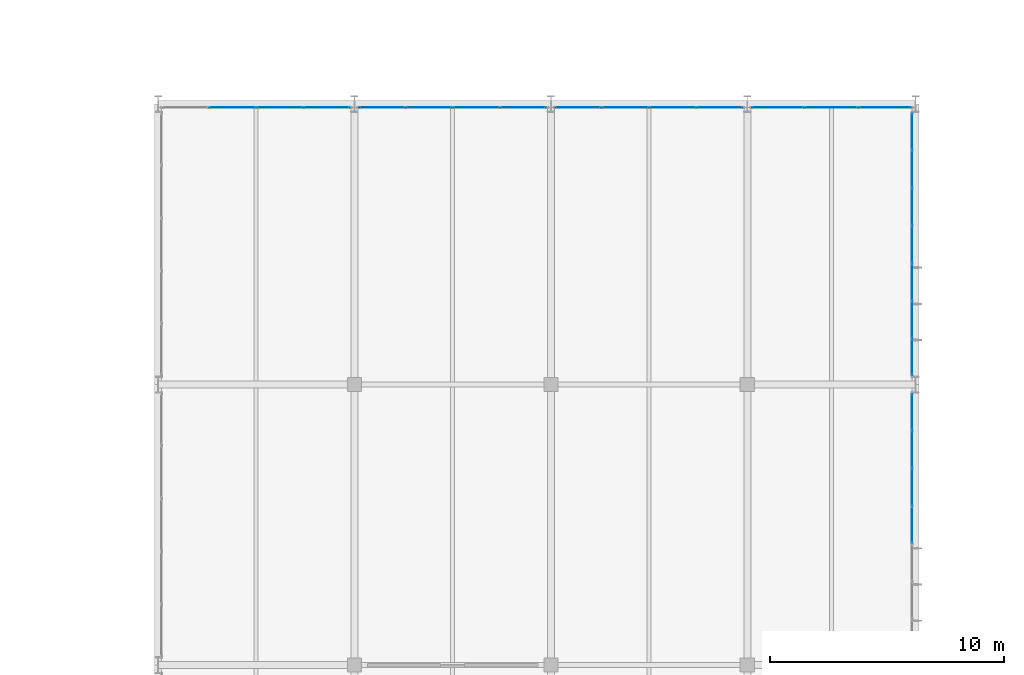
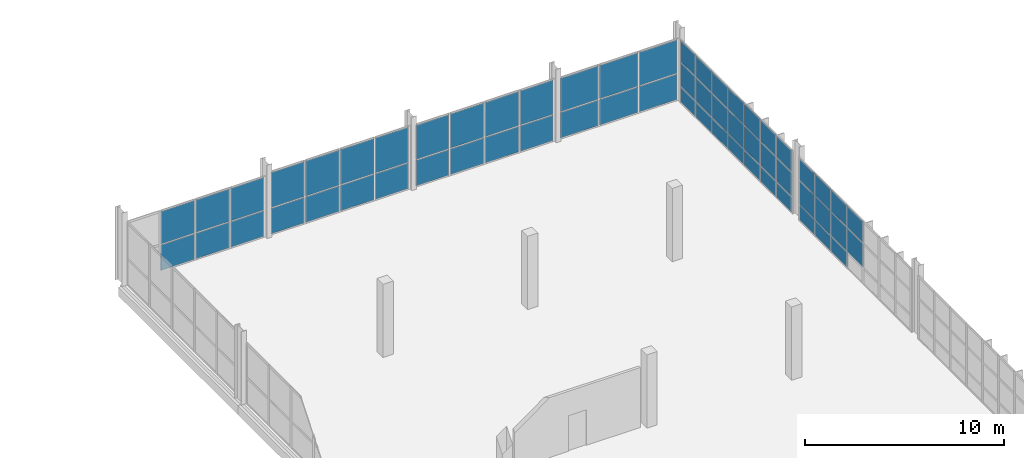
# One storey, part 93 of 113: 60 plates, 6 elements without a shape of their own.
"""IFC4 building model written with IfcOpenShell, lengths in metres."""

import ifcopenshell
import ifcopenshell.guid

model = None  # the IFC model being written
_history = None  # IfcOwnerHistory: only IFC2X3 demands one
_inside = {}  # id of a spatial element -> (the spatial element, [elements in it])
_under = {}  # id of a project, library or spatial element -> (it, [spatial elements below it])
_declared = {}  # id of a project -> (the project, [libraries it declares])
_typed = {}  # id of a type object -> (the type object, [elements of that type])
_made_of = {}  # id of a material, layer set ... -> (it, [elements and type objects made of it])


def new_model(schema):
    """Start an empty IFC model of exactly this schema.

    Asked for "IFC4X3", IfcOpenShell would pick the latest addendum, in which some entities
    have other attributes; the version numbers below select the first issue.
    IFC2X3 requires an IfcOwnerHistory on every rooted entity: one is made here for all.
    """
    global model, _history
    if schema == "IFC4X3":
        model = ifcopenshell.file(schema_version=(4, 3, 0, 0))
    else:
        model = ifcopenshell.file(schema=schema)
    _inside.clear()
    _under.clear()
    _declared.clear()
    _typed.clear()
    _made_of.clear()
    _history = None
    if model.schema == "IFC2X3":
        org = make("IfcOrganization", Name="unknown")
        user = make(
            "IfcPersonAndOrganization",
            ThePerson=make("IfcPerson", FamilyName="unknown"),
            TheOrganization=org,
        )
        app = make(
            "IfcApplication",
            ApplicationDeveloper=org,
            Version="unknown",
            ApplicationFullName="unknown",
            ApplicationIdentifier="unknown",
        )
        _history = make(
            "IfcOwnerHistory",
            OwningUser=user,
            OwningApplication=app,
            ChangeAction="ADDED",
            CreationDate=0,
        )
    return model


def make(cls, **values):
    """One entity of the class cls with the attributes given. An attribute that is None is left unset."""
    return model.create_entity(
        cls, **{name: value for name, value in values.items() if value is not None}
    )


def rooted(cls, **values):
    """An entity with a GlobalId (a new one), such as an element, a storey or a relation."""
    return make(cls, GlobalId=ifcopenshell.guid.new(), OwnerHistory=_history, **values)


def si_unit(unit_type, name, prefix=None):
    """IfcSIUnit, for example si_unit("LENGTHUNIT", "METRE", prefix="MILLI")."""
    return make("IfcSIUnit", UnitType=unit_type, Prefix=prefix, Name=name)


def assignment(units):
    """IfcUnitAssignment: the units of a project."""
    return None if units is None else make("IfcUnitAssignment", Units=units)


def point(xyz):
    """IfcCartesianPoint."""
    return None if xyz is None else make("IfcCartesianPoint", Coordinates=xyz)


def direction(xyz):
    """IfcDirection."""
    return None if xyz is None else make("IfcDirection", DirectionRatios=xyz)


def frame(location, z_axis=None, x_axis=None):
    """IfcAxis2Placement3D, a coordinate frame: its origin and axes. An axis left out is left unset."""
    return make(
        "IfcAxis2Placement3D",
        Location=point(location),
        Axis=direction(z_axis),
        RefDirection=direction(x_axis),
    )


def frame_2d(location, x_axis=None):
    """IfcAxis2Placement2D, a coordinate frame in the plane: its origin and x axis."""
    return make(
        "IfcAxis2Placement2D", Location=point(location), RefDirection=direction(x_axis)
    )


def origin():
    """The frame at (0, 0, 0) with its axes left unset."""
    return frame((0.0, 0.0, 0.0))


def origin_2d():
    """The frame at (0, 0) in the plane with its x axis left unset."""
    return frame_2d((0.0, 0.0))


def place(relative_to, where):
    """IfcLocalPlacement: puts the frame where relative to a parent placement (None: the world)."""
    return make(
        "IfcLocalPlacement", PlacementRelTo=relative_to, RelativePlacement=where
    )


def context(
    kind, dimensions, precision=None, world=None, true_north=None, identifier=None
):
    """IfcGeometricRepresentationContext, for example the 3D "Model" context."""
    return make(
        "IfcGeometricRepresentationContext",
        ContextIdentifier=identifier,
        ContextType=kind,
        CoordinateSpaceDimension=dimensions,
        Precision=precision,
        WorldCoordinateSystem=world,
        TrueNorth=true_north,
    )


def subcontext(parent, identifier, kind, view, scale=None):
    """IfcGeometricRepresentationSubContext, for example "Body" below "Model"."""
    return make(
        "IfcGeometricRepresentationSubContext",
        ContextIdentifier=identifier,
        ContextType=kind,
        ParentContext=parent,
        TargetScale=scale,
        TargetView=view,
    )


def project(units=None, contexts=None):
    """IfcProject with its units and contexts."""
    return rooted(
        "IfcProject",
        Name="project",
        RepresentationContexts=contexts,
        UnitsInContext=assignment(units),
    )


def spatial(cls, under=None, at=None, **own):
    """A site, building, storey or space (cls), placed at a placement, below another one or the project."""
    s = rooted(cls, ObjectPlacement=at, **own)
    if under is not None:
        _under.setdefault(under.id(), (under, []))[1].append(s)
    return s


def profile(cls, at=None, kind="AREA", **sizes):
    """A parametric profile (cls). Its sizes go by their IFC names, for example OverallWidth=200.0."""
    return make(cls, ProfileType=kind, Position=at, **sizes)


def rectangle(**sizes):
    """IfcRectangleProfileDef."""
    return profile("IfcRectangleProfileDef", **sizes)


def extrude(swept, where, along, depth):
    """IfcExtrudedAreaSolid: the profile swept, set in the frame where, extruded along a direction by depth."""
    return make(
        "IfcExtrudedAreaSolid",
        SweptArea=swept,
        Position=where,
        ExtrudedDirection=direction(along),
        Depth=depth,
    )


def shape(context_of_items, identifier, shape_type, items):
    """IfcShapeRepresentation: the items that make up one representation, for example the "Body"."""
    return make(
        "IfcShapeRepresentation",
        ContextOfItems=context_of_items,
        RepresentationIdentifier=identifier,
        RepresentationType=shape_type,
        Items=items,
    )


def material(Name=None, Category=None):
    """IfcMaterial."""
    return make("IfcMaterial", Name=Name, Category=Category)


def layer(
    of_material, thickness, ventilated=None, Name=None, Category=None, Priority=None
):
    """IfcMaterialLayer: one layer of a wall or slab, of a material (None: an air gap)."""
    return make(
        "IfcMaterialLayer",
        Material=of_material,
        LayerThickness=thickness,
        IsVentilated=ventilated,
        Name=Name,
        Category=Category,
        Priority=Priority,
    )


def layer_set(layers, Name=None):
    """IfcMaterialLayerSet."""
    return make("IfcMaterialLayerSet", MaterialLayers=layers, LayerSetName=Name)


def made_of(thing, what):
    """Note that an element or type object is made of a material, layer set ...; save() writes the relation."""
    if what is not None:
        _made_of.setdefault(what.id(), (what, []))[1].append(thing)
    return thing


def type_object(cls, material=None, **own):
    """A type object (cls), such as IfcWallType, which elements share."""
    return made_of(rooted(cls, **own), material)


def element(
    cls,
    number,
    at=None,
    inside=None,
    cuts=None,
    type_object=None,
    material=None,
    context=None,
    identifier="Body",
    shape_type=None,
    held_by="IfcProductDefinitionShape",
    body=None,
    shapes=None,
    **own,
):
    """One element of the class cls, such as IfcWall. Its Tag is "e" and its number.

    at: its placement. inside: the storey or other place that contains it. cuts: it is an
    opening in that element (IfcRelVoidsElement). A single representation is given by context,
    identifier, shape_type and body (its items); several are given by shapes. held_by: the class
    of the entity that holds the representations. save() writes the other relations.
    """
    e = rooted(cls, Tag="e%d" % number, ObjectPlacement=at, **own)
    if body is not None:
        shapes = [shape(context, identifier, shape_type, body)]
    if shapes is not None:
        e.Representation = make(held_by, Representations=shapes)
    if inside is not None:
        _inside.setdefault(inside.id(), (inside, []))[1].append(e)
    if cuts is not None:
        rooted(
            "IfcRelVoidsElement", RelatingBuildingElement=cuts, RelatedOpeningElement=e
        )
    if type_object is not None:
        _typed.setdefault(type_object.id(), (type_object, []))[1].append(e)
    return made_of(e, material)


def aggregate(whole, parts):
    """IfcRelAggregates: a whole, such as a stair, and the parts it consists of."""
    return rooted("IfcRelAggregates", RelatingObject=whole, RelatedObjects=parts)


def save(model, path):
    """Write the relations noted so far, then the file.

    IfcRelAggregates (storeys below a building ...), IfcRelContainedInSpatialStructure (elements
    in a storey), IfcRelDefinesByType, IfcRelAssociatesMaterial and IfcRelDeclares: one each for
    every whole, place, type object, material and project.
    """
    for whole, parts in _under.values():
        aggregate(whole, parts)
    for where, things in _inside.values():
        rooted(
            "IfcRelContainedInSpatialStructure",
            RelatedElements=things,
            RelatingStructure=where,
        )
    for kind, things in _typed.values():
        rooted("IfcRelDefinesByType", RelatedObjects=things, RelatingType=kind)
    for what, things in _made_of.values():
        rooted("IfcRelAssociatesMaterial", RelatedObjects=things, RelatingMaterial=what)
    for by, libraries in _declared.values():
        rooted("IfcRelDeclares", RelatingContext=by, RelatedDefinitions=libraries)
    model.write(path)


model = new_model("IFC4")

# Units and contexts
model_context = context("Model", 3, precision=1e-05, world=origin(), true_north=direction((0.0, 1.0)))
body_context = subcontext(model_context, "Body", "Model", "MODEL_VIEW")
ifc_project = project(units=[si_unit("LENGTHUNIT", "METRE"), si_unit("AREAUNIT", "SQUARE_METRE"), si_unit("VOLUMEUNIT", "CUBIC_METRE"), si_unit("PLANEANGLEUNIT", "RADIAN"), si_unit("MASSUNIT", "GRAM", prefix="KILO")], contexts=[model_context])

# Site, building, storey
site_placement = place(None, origin())
site = spatial("IfcSite", under=ifc_project, at=site_placement, CompositionType="ELEMENT")
building_placement = place(site_placement, origin())
building = spatial("IfcBuilding", under=site, at=building_placement, Name="Veltarok Museum of Natural Sciences", CompositionType="ELEMENT")
storey_placement = place(building_placement, frame((0.0, 0.0, 8.39990234375)))
storey = spatial("IfcBuildingStorey", under=building, at=storey_placement, Name="L01", CompositionType="ELEMENT", Elevation=8.39990234375)

# Curtain wall, plates
ifc_material = material(Name="Low-iron triple insulated glass", Category="glass")
curtain_wall_type_1 = type_object("IfcCurtainWallType", Name="Curtain Wall System CW-V5E-L01-F-1130x388 (V5 East Lab L01 F-G 1130x388cm)", PredefinedType="NOTDEFINED", material=ifc_material)
curtain_wall_1_placement = place(storey_placement, origin())
curtain_wall_1 = element("IfcCurtainWall", 1, at=curtain_wall_1_placement, inside=storey, type_object=curtain_wall_type_1, Name="Curtain Wall CW-V5E-L01-F-1130x388 CW-0107", PredefinedType="NOTDEFINED")
ifc_layer = layer(ifc_material, 0.028076171875)
ifc_layer_set = layer_set([ifc_layer], Name="Low-iron triple insulated glass")
plate_type = type_object("IfcPlateType", Name="Triple Low-Iron Glazed Vision Panel 28", PredefinedType="CURTAIN_PANEL", material=ifc_layer_set)
plate_1_placement = place(storey_placement, frame((164.64990234375, 54.0, 1.030029296875), z_axis=(0.0, 0.0, 1.0), x_axis=(0.0, 1.0, 0.0)))
plate_1 = element("IfcPlate", 2, at=plate_1_placement, type_object=plate_type, Name="CW-V5E-L01-F-1130x388 panel 4.2", PredefinedType="CURTAIN_PANEL", context=body_context, shape_type="SweptSolid", body=[
    extrude(rectangle(XDim=1.55419921875, YDim=0.028076171875, at=origin_2d()), origin(), (0.0, 0.0, 1.0), 1.43994140625),
])
plate_2_placement = place(storey_placement, frame((164.64990234375, 54.0, 2.530029296875), z_axis=(0.0, 0.0, 1.0), x_axis=(0.0, 1.0, 0.0)))
plate_2 = element("IfcPlate", 3, at=plate_2_placement, type_object=plate_type, Name="CW-V5E-L01-F-1130x388 panel 4.3", PredefinedType="CURTAIN_PANEL", context=body_context, shape_type="SweptSolid", body=[
    extrude(rectangle(XDim=1.55419921875, YDim=0.028076171875, at=origin_2d()), origin(), (0.0, 0.0, 1.0), 1.2900390625),
])
plate_3_placement = place(storey_placement, frame((164.64990234375, 55.6142578125, 0.06005859375), z_axis=(0.0, 0.0, 1.0), x_axis=(0.0, 1.0, 0.0)))
plate_3 = element("IfcPlate", 4, at=plate_3_placement, type_object=plate_type, Name="CW-V5E-L01-F-1130x388 panel 5.1", PredefinedType="CURTAIN_PANEL", context=body_context, shape_type="SweptSolid", body=[
    extrude(rectangle(XDim=1.55419921875, YDim=0.028076171875, at=origin_2d()), origin(), (0.0, 0.0, 1.0), 0.909912109375),
])
plate_4_placement = place(storey_placement, frame((164.64990234375, 55.6142578125, 1.030029296875), z_axis=(0.0, 0.0, 1.0), x_axis=(0.0, 1.0, 0.0)))
plate_4 = element("IfcPlate", 5, at=plate_4_placement, type_object=plate_type, Name="CW-V5E-L01-F-1130x388 panel 5.2", PredefinedType="CURTAIN_PANEL", context=body_context, shape_type="SweptSolid", body=[
    extrude(rectangle(XDim=1.55419921875, YDim=0.028076171875, at=origin_2d()), origin(), (0.0, 0.0, 1.0), 1.43994140625),
])
plate_5_placement = place(storey_placement, frame((164.64990234375, 55.6142578125, 2.530029296875), z_axis=(0.0, 0.0, 1.0), x_axis=(0.0, 1.0, 0.0)))
plate_5 = element("IfcPlate", 6, at=plate_5_placement, type_object=plate_type, Name="CW-V5E-L01-F-1130x388 panel 5.3", PredefinedType="CURTAIN_PANEL", context=body_context, shape_type="SweptSolid", body=[
    extrude(rectangle(XDim=1.55419921875, YDim=0.028076171875, at=origin_2d()), origin(), (0.0, 0.0, 1.0), 1.2900390625),
])
plate_6_placement = place(storey_placement, frame((164.64990234375, 57.228515625, 0.06005859375), z_axis=(0.0, 0.0, 1.0), x_axis=(0.0, 1.0, 0.0)))
plate_6 = element("IfcPlate", 7, at=plate_6_placement, type_object=plate_type, Name="CW-V5E-L01-F-1130x388 panel 6.1", PredefinedType="CURTAIN_PANEL", context=body_context, shape_type="SweptSolid", body=[
    extrude(rectangle(XDim=1.55419921875, YDim=0.028076171875, at=origin_2d()), origin(), (0.0, 0.0, 1.0), 0.909912109375),
])
plate_7_placement = place(storey_placement, frame((164.64990234375, 57.228515625, 1.030029296875), z_axis=(0.0, 0.0, 1.0), x_axis=(0.0, 1.0, 0.0)))
plate_7 = element("IfcPlate", 8, at=plate_7_placement, type_object=plate_type, Name="CW-V5E-L01-F-1130x388 panel 6.2", PredefinedType="CURTAIN_PANEL", context=body_context, shape_type="SweptSolid", body=[
    extrude(rectangle(XDim=1.55419921875, YDim=0.028076171875, at=origin_2d()), origin(), (0.0, 0.0, 1.0), 1.43994140625),
])
plate_8_placement = place(storey_placement, frame((164.64990234375, 57.228515625, 2.530029296875), z_axis=(0.0, 0.0, 1.0), x_axis=(0.0, 1.0, 0.0)))
plate_8 = element("IfcPlate", 9, at=plate_8_placement, type_object=plate_type, Name="CW-V5E-L01-F-1130x388 panel 6.3", PredefinedType="CURTAIN_PANEL", context=body_context, shape_type="SweptSolid", body=[
    extrude(rectangle(XDim=1.55419921875, YDim=0.028076171875, at=origin_2d()), origin(), (0.0, 0.0, 1.0), 1.2900390625),
])
plate_9_placement = place(storey_placement, frame((164.64990234375, 58.827880859375, 0.06005859375), z_axis=(0.0, 0.0, 1.0), x_axis=(0.0, 1.0, 0.0)))
plate_9 = element("IfcPlate", 10, at=plate_9_placement, type_object=plate_type, Name="CW-V5E-L01-F-1130x388 panel 7.1", PredefinedType="CURTAIN_PANEL", context=body_context, shape_type="SweptSolid", body=[
    extrude(rectangle(XDim=1.524169921875, YDim=0.028076171875, at=origin_2d()), origin(), (0.0, 0.0, 1.0), 0.909912109375),
])
plate_10_placement = place(storey_placement, frame((164.64990234375, 58.827880859375, 1.030029296875), z_axis=(0.0, 0.0, 1.0), x_axis=(0.0, 1.0, 0.0)))
plate_10 = element("IfcPlate", 11, at=plate_10_placement, type_object=plate_type, Name="CW-V5E-L01-F-1130x388 panel 7.2", PredefinedType="CURTAIN_PANEL", context=body_context, shape_type="SweptSolid", body=[
    extrude(rectangle(XDim=1.524169921875, YDim=0.028076171875, at=origin_2d()), origin(), (0.0, 0.0, 1.0), 1.43994140625),
])
plate_11_placement = place(storey_placement, frame((164.64990234375, 58.827880859375, 2.530029296875), z_axis=(0.0, 0.0, 1.0), x_axis=(0.0, 1.0, 0.0)))
plate_11 = element("IfcPlate", 12, at=plate_11_placement, type_object=plate_type, Name="CW-V5E-L01-F-1130x388 panel 7.3", PredefinedType="CURTAIN_PANEL", context=body_context, shape_type="SweptSolid", body=[
    extrude(rectangle(XDim=1.524169921875, YDim=0.028076171875, at=origin_2d()), origin(), (0.0, 0.0, 1.0), 1.2900390625),
])
aggregate(curtain_wall_1, [plate_1, plate_2, plate_3, plate_4, plate_5, plate_6, plate_7, plate_8, plate_9, plate_10, plate_11])

curtain_wall_type_2 = type_object("IfcCurtainWallType", Name="Curtain Wall System CW-V5E-L01-G-1130x388 (V5 East Lab L01 G-H 1130x388cm)", PredefinedType="NOTDEFINED", material=ifc_material)
curtain_wall_2_placement = place(storey_placement, origin())
curtain_wall_2 = element("IfcCurtainWall", 13, at=curtain_wall_2_placement, inside=storey, type_object=curtain_wall_type_2, Name="Curtain Wall CW-V5E-L01-G-1130x388 CW-0108", PredefinedType="NOTDEFINED")
plate_12_placement = place(storey_placement, frame((164.64990234375, 61.172119140625, 0.06005859375), z_axis=(0.0, 0.0, 1.0), x_axis=(0.0, 1.0, 0.0)))
plate_12 = element("IfcPlate", 14, at=plate_12_placement, type_object=plate_type, Name="CW-V5E-L01-G-1130x388 panel 1.1", PredefinedType="CURTAIN_PANEL", context=body_context, shape_type="SweptSolid", body=[
    extrude(rectangle(XDim=1.524169921875, YDim=0.028076171875, at=origin_2d()), origin(), (0.0, 0.0, 1.0), 0.909912109375),
])
plate_13_placement = place(storey_placement, frame((164.64990234375, 61.172119140625, 1.030029296875), z_axis=(0.0, 0.0, 1.0), x_axis=(0.0, 1.0, 0.0)))
plate_13 = element("IfcPlate", 15, at=plate_13_placement, type_object=plate_type, Name="CW-V5E-L01-G-1130x388 panel 1.2", PredefinedType="CURTAIN_PANEL", context=body_context, shape_type="SweptSolid", body=[
    extrude(rectangle(XDim=1.524169921875, YDim=0.028076171875, at=origin_2d()), origin(), (0.0, 0.0, 1.0), 1.43994140625),
])
plate_14_placement = place(storey_placement, frame((164.64990234375, 61.172119140625, 2.530029296875), z_axis=(0.0, 0.0, 1.0), x_axis=(0.0, 1.0, 0.0)))
plate_14 = element("IfcPlate", 16, at=plate_14_placement, type_object=plate_type, Name="CW-V5E-L01-G-1130x388 panel 1.3", PredefinedType="CURTAIN_PANEL", context=body_context, shape_type="SweptSolid", body=[
    extrude(rectangle(XDim=1.524169921875, YDim=0.028076171875, at=origin_2d()), origin(), (0.0, 0.0, 1.0), 1.2900390625),
])
plate_15_placement = place(storey_placement, frame((164.64990234375, 62.771484375, 0.06005859375), z_axis=(0.0, 0.0, 1.0), x_axis=(0.0, 1.0, 0.0)))
plate_15 = element("IfcPlate", 17, at=plate_15_placement, type_object=plate_type, Name="CW-V5E-L01-G-1130x388 panel 2.1", PredefinedType="CURTAIN_PANEL", context=body_context, shape_type="SweptSolid", body=[
    extrude(rectangle(XDim=1.55419921875, YDim=0.028076171875, at=origin_2d()), origin(), (0.0, 0.0, 1.0), 0.909912109375),
])
plate_16_placement = place(storey_placement, frame((164.64990234375, 62.771484375, 1.030029296875), z_axis=(0.0, 0.0, 1.0), x_axis=(0.0, 1.0, 0.0)))
plate_16 = element("IfcPlate", 18, at=plate_16_placement, type_object=plate_type, Name="CW-V5E-L01-G-1130x388 panel 2.2", PredefinedType="CURTAIN_PANEL", context=body_context, shape_type="SweptSolid", body=[
    extrude(rectangle(XDim=1.55419921875, YDim=0.028076171875, at=origin_2d()), origin(), (0.0, 0.0, 1.0), 1.43994140625),
])
plate_17_placement = place(storey_placement, frame((164.64990234375, 62.771484375, 2.530029296875), z_axis=(0.0, 0.0, 1.0), x_axis=(0.0, 1.0, 0.0)))
plate_17 = element("IfcPlate", 19, at=plate_17_placement, type_object=plate_type, Name="CW-V5E-L01-G-1130x388 panel 2.3", PredefinedType="CURTAIN_PANEL", context=body_context, shape_type="SweptSolid", body=[
    extrude(rectangle(XDim=1.55419921875, YDim=0.028076171875, at=origin_2d()), origin(), (0.0, 0.0, 1.0), 1.2900390625),
])
plate_18_placement = place(storey_placement, frame((164.64990234375, 64.3857421875, 0.06005859375), z_axis=(0.0, 0.0, 1.0), x_axis=(0.0, 1.0, 0.0)))
plate_18 = element("IfcPlate", 20, at=plate_18_placement, type_object=plate_type, Name="CW-V5E-L01-G-1130x388 panel 3.1", PredefinedType="CURTAIN_PANEL", context=body_context, shape_type="SweptSolid", body=[
    extrude(rectangle(XDim=1.55419921875, YDim=0.028076171875, at=origin_2d()), origin(), (0.0, 0.0, 1.0), 0.909912109375),
])
plate_19_placement = place(storey_placement, frame((164.64990234375, 64.3857421875, 1.030029296875), z_axis=(0.0, 0.0, 1.0), x_axis=(0.0, 1.0, 0.0)))
plate_19 = element("IfcPlate", 21, at=plate_19_placement, type_object=plate_type, Name="CW-V5E-L01-G-1130x388 panel 3.2", PredefinedType="CURTAIN_PANEL", context=body_context, shape_type="SweptSolid", body=[
    extrude(rectangle(XDim=1.55419921875, YDim=0.028076171875, at=origin_2d()), origin(), (0.0, 0.0, 1.0), 1.43994140625),
])
plate_20_placement = place(storey_placement, frame((164.64990234375, 64.3857421875, 2.530029296875), z_axis=(0.0, 0.0, 1.0), x_axis=(0.0, 1.0, 0.0)))
plate_20 = element("IfcPlate", 22, at=plate_20_placement, type_object=plate_type, Name="CW-V5E-L01-G-1130x388 panel 3.3", PredefinedType="CURTAIN_PANEL", context=body_context, shape_type="SweptSolid", body=[
    extrude(rectangle(XDim=1.55419921875, YDim=0.028076171875, at=origin_2d()), origin(), (0.0, 0.0, 1.0), 1.2900390625),
])
plate_21_placement = place(storey_placement, frame((164.64990234375, 66.0, 0.06005859375), z_axis=(0.0, 0.0, 1.0), x_axis=(0.0, 1.0, 0.0)))
plate_21 = element("IfcPlate", 23, at=plate_21_placement, type_object=plate_type, Name="CW-V5E-L01-G-1130x388 panel 4.1", PredefinedType="CURTAIN_PANEL", context=body_context, shape_type="SweptSolid", body=[
    extrude(rectangle(XDim=1.55419921875, YDim=0.028076171875, at=origin_2d()), origin(), (0.0, 0.0, 1.0), 0.909912109375),
])
plate_22_placement = place(storey_placement, frame((164.64990234375, 66.0, 1.030029296875), z_axis=(0.0, 0.0, 1.0), x_axis=(0.0, 1.0, 0.0)))
plate_22 = element("IfcPlate", 24, at=plate_22_placement, type_object=plate_type, Name="CW-V5E-L01-G-1130x388 panel 4.2", PredefinedType="CURTAIN_PANEL", context=body_context, shape_type="SweptSolid", body=[
    extrude(rectangle(XDim=1.55419921875, YDim=0.028076171875, at=origin_2d()), origin(), (0.0, 0.0, 1.0), 1.43994140625),
])
plate_23_placement = place(storey_placement, frame((164.64990234375, 66.0, 2.530029296875), z_axis=(0.0, 0.0, 1.0), x_axis=(0.0, 1.0, 0.0)))
plate_23 = element("IfcPlate", 25, at=plate_23_placement, type_object=plate_type, Name="CW-V5E-L01-G-1130x388 panel 4.3", PredefinedType="CURTAIN_PANEL", context=body_context, shape_type="SweptSolid", body=[
    extrude(rectangle(XDim=1.55419921875, YDim=0.028076171875, at=origin_2d()), origin(), (0.0, 0.0, 1.0), 1.2900390625),
])
plate_24_placement = place(storey_placement, frame((164.64990234375, 67.6142578125, 0.06005859375), z_axis=(0.0, 0.0, 1.0), x_axis=(0.0, 1.0, 0.0)))
plate_24 = element("IfcPlate", 26, at=plate_24_placement, type_object=plate_type, Name="CW-V5E-L01-G-1130x388 panel 5.1", PredefinedType="CURTAIN_PANEL", context=body_context, shape_type="SweptSolid", body=[
    extrude(rectangle(XDim=1.55419921875, YDim=0.028076171875, at=origin_2d()), origin(), (0.0, 0.0, 1.0), 0.909912109375),
])
plate_25_placement = place(storey_placement, frame((164.64990234375, 67.6142578125, 1.030029296875), z_axis=(0.0, 0.0, 1.0), x_axis=(0.0, 1.0, 0.0)))
plate_25 = element("IfcPlate", 27, at=plate_25_placement, type_object=plate_type, Name="CW-V5E-L01-G-1130x388 panel 5.2", PredefinedType="CURTAIN_PANEL", context=body_context, shape_type="SweptSolid", body=[
    extrude(rectangle(XDim=1.55419921875, YDim=0.028076171875, at=origin_2d()), origin(), (0.0, 0.0, 1.0), 1.43994140625),
])
plate_26_placement = place(storey_placement, frame((164.64990234375, 67.6142578125, 2.530029296875), z_axis=(0.0, 0.0, 1.0), x_axis=(0.0, 1.0, 0.0)))
plate_26 = element("IfcPlate", 28, at=plate_26_placement, type_object=plate_type, Name="CW-V5E-L01-G-1130x388 panel 5.3", PredefinedType="CURTAIN_PANEL", context=body_context, shape_type="SweptSolid", body=[
    extrude(rectangle(XDim=1.55419921875, YDim=0.028076171875, at=origin_2d()), origin(), (0.0, 0.0, 1.0), 1.2900390625),
])
plate_27_placement = place(storey_placement, frame((164.64990234375, 69.228515625, 0.06005859375), z_axis=(0.0, 0.0, 1.0), x_axis=(0.0, 1.0, 0.0)))
plate_27 = element("IfcPlate", 29, at=plate_27_placement, type_object=plate_type, Name="CW-V5E-L01-G-1130x388 panel 6.1", PredefinedType="CURTAIN_PANEL", context=body_context, shape_type="SweptSolid", body=[
    extrude(rectangle(XDim=1.55419921875, YDim=0.028076171875, at=origin_2d()), origin(), (0.0, 0.0, 1.0), 0.909912109375),
])
plate_28_placement = place(storey_placement, frame((164.64990234375, 69.228515625, 1.030029296875), z_axis=(0.0, 0.0, 1.0), x_axis=(0.0, 1.0, 0.0)))
plate_28 = element("IfcPlate", 30, at=plate_28_placement, type_object=plate_type, Name="CW-V5E-L01-G-1130x388 panel 6.2", PredefinedType="CURTAIN_PANEL", context=body_context, shape_type="SweptSolid", body=[
    extrude(rectangle(XDim=1.55419921875, YDim=0.028076171875, at=origin_2d()), origin(), (0.0, 0.0, 1.0), 1.43994140625),
])
plate_29_placement = place(storey_placement, frame((164.64990234375, 69.228515625, 2.530029296875), z_axis=(0.0, 0.0, 1.0), x_axis=(0.0, 1.0, 0.0)))
plate_29 = element("IfcPlate", 31, at=plate_29_placement, type_object=plate_type, Name="CW-V5E-L01-G-1130x388 panel 6.3", PredefinedType="CURTAIN_PANEL", context=body_context, shape_type="SweptSolid", body=[
    extrude(rectangle(XDim=1.55419921875, YDim=0.028076171875, at=origin_2d()), origin(), (0.0, 0.0, 1.0), 1.2900390625),
])
plate_30_placement = place(storey_placement, frame((164.64990234375, 70.827880859375, 0.06005859375), z_axis=(0.0, 0.0, 1.0), x_axis=(0.0, 1.0, 0.0)))
plate_30 = element("IfcPlate", 32, at=plate_30_placement, type_object=plate_type, Name="CW-V5E-L01-G-1130x388 panel 7.1", PredefinedType="CURTAIN_PANEL", context=body_context, shape_type="SweptSolid", body=[
    extrude(rectangle(XDim=1.524169921875, YDim=0.028076171875, at=origin_2d()), origin(), (0.0, 0.0, 1.0), 0.909912109375),
])
plate_31_placement = place(storey_placement, frame((164.64990234375, 70.827880859375, 1.030029296875), z_axis=(0.0, 0.0, 1.0), x_axis=(0.0, 1.0, 0.0)))
plate_31 = element("IfcPlate", 33, at=plate_31_placement, type_object=plate_type, Name="CW-V5E-L01-G-1130x388 panel 7.2", PredefinedType="CURTAIN_PANEL", context=body_context, shape_type="SweptSolid", body=[
    extrude(rectangle(XDim=1.524169921875, YDim=0.028076171875, at=origin_2d()), origin(), (0.0, 0.0, 1.0), 1.43994140625),
])
plate_32_placement = place(storey_placement, frame((164.64990234375, 70.827880859375, 2.530029296875), z_axis=(0.0, 0.0, 1.0), x_axis=(0.0, 1.0, 0.0)))
plate_32 = element("IfcPlate", 34, at=plate_32_placement, type_object=plate_type, Name="CW-V5E-L01-G-1130x388 panel 7.3", PredefinedType="CURTAIN_PANEL", context=body_context, shape_type="SweptSolid", body=[
    extrude(rectangle(XDim=1.524169921875, YDim=0.028076171875, at=origin_2d()), origin(), (0.0, 0.0, 1.0), 1.2900390625),
])
aggregate(curtain_wall_2, [plate_12, plate_13, plate_14, plate_15, plate_16, plate_17, plate_18, plate_19, plate_20, plate_21, plate_22, plate_23, plate_24, plate_25, plate_26, plate_27, plate_28, plate_29, plate_30, plate_31, plate_32])

curtain_wall_type_3 = type_object("IfcCurtainWallType", Name="Curtain Wall System CW-V5N-L01-3-810x373 (CW-V5N L01 810x373cm)", PredefinedType="NOTDEFINED", material=ifc_material)
curtain_wall_3_placement = place(storey_placement, origin())
curtain_wall_3 = element("IfcCurtainWall", 35, at=curtain_wall_3_placement, inside=storey, type_object=curtain_wall_type_3, Name="Curtain Wall CW-V5N-L01-3-810x373 CW-0199", PredefinedType="NOTDEFINED")
plate_33_placement = place(storey_placement, frame((139.62255859375, 71.85009765625, 0.05810546875), z_axis=(0.0, 0.0, 1.0), x_axis=(-1.0, 0.0, 0.0)))
plate_33 = element("IfcPlate", 36, at=plate_33_placement, type_object=plate_type, Name="CW-V5N-L01-3-810x373 panel 1.1", PredefinedType="CURTAIN_PANEL", context=body_context, shape_type="SweptSolid", body=[
    extrude(rectangle(XDim=1.93505859375, YDim=0.028076171875, at=origin_2d()), origin(), (0.0, 0.0, 1.0), 1.56005859375),
])
plate_34_placement = place(storey_placement, frame((139.62255859375, 71.85009765625, 1.67822265625), z_axis=(0.0, 0.0, 1.0), x_axis=(-1.0, 0.0, 0.0)))
plate_34 = element("IfcPlate", 37, at=plate_34_placement, type_object=plate_type, Name="CW-V5N-L01-3-810x373 panel 1.2", PredefinedType="CURTAIN_PANEL", context=body_context, shape_type="SweptSolid", body=[
    extrude(rectangle(XDim=1.93505859375, YDim=0.028076171875, at=origin_2d()), origin(), (0.0, 0.0, 1.0), 1.991943359375),
])
plate_35_placement = place(storey_placement, frame((137.612548828125, 71.85009765625, 0.05810546875), z_axis=(0.0, 0.0, 1.0), x_axis=(-1.0, 0.0, 0.0)))
plate_35 = element("IfcPlate", 38, at=plate_35_placement, type_object=plate_type, Name="CW-V5N-L01-3-810x373 panel 2.1", PredefinedType="CURTAIN_PANEL", context=body_context, shape_type="SweptSolid", body=[
    extrude(rectangle(XDim=1.965087890625, YDim=0.028076171875, at=origin_2d()), origin(), (0.0, 0.0, 1.0), 1.56005859375),
])
plate_36_placement = place(storey_placement, frame((137.612548828125, 71.85009765625, 1.67822265625), z_axis=(0.0, 0.0, 1.0), x_axis=(-1.0, 0.0, 0.0)))
plate_36 = element("IfcPlate", 39, at=plate_36_placement, type_object=plate_type, Name="CW-V5N-L01-3-810x373 panel 2.2", PredefinedType="CURTAIN_PANEL", context=body_context, shape_type="SweptSolid", body=[
    extrude(rectangle(XDim=1.965087890625, YDim=0.028076171875, at=origin_2d()), origin(), (0.0, 0.0, 1.0), 1.991943359375),
])
plate_37_placement = place(storey_placement, frame((135.58740234375, 71.85009765625, 0.05810546875), z_axis=(0.0, 0.0, 1.0), x_axis=(-1.0, 0.0, 0.0)))
plate_37 = element("IfcPlate", 40, at=plate_37_placement, type_object=plate_type, Name="CW-V5N-L01-3-810x373 panel 3.1", PredefinedType="CURTAIN_PANEL", context=body_context, shape_type="SweptSolid", body=[
    extrude(rectangle(XDim=1.965087890625, YDim=0.028076171875, at=origin_2d()), origin(), (0.0, 0.0, 1.0), 1.56005859375),
])
plate_38_placement = place(storey_placement, frame((135.58740234375, 71.85009765625, 1.67822265625), z_axis=(0.0, 0.0, 1.0), x_axis=(-1.0, 0.0, 0.0)))
plate_38 = element("IfcPlate", 41, at=plate_38_placement, type_object=plate_type, Name="CW-V5N-L01-3-810x373 panel 3.2", PredefinedType="CURTAIN_PANEL", context=body_context, shape_type="SweptSolid", body=[
    extrude(rectangle(XDim=1.965087890625, YDim=0.028076171875, at=origin_2d()), origin(), (0.0, 0.0, 1.0), 1.991943359375),
])
aggregate(curtain_wall_3, [plate_33, plate_34, plate_35, plate_36, plate_37, plate_38])

curtain_wall_type_4 = type_object("IfcCurtainWallType", Name="Curtain Wall System CW-V5N-L01-0-810x388 (CW-V5N L01 810x388cm)", PredefinedType="NOTDEFINED", material=ifc_material)
curtain_wall_4_placement = place(storey_placement, origin())
curtain_wall_4 = element("IfcCurtainWall", 42, at=curtain_wall_4_placement, inside=storey, type_object=curtain_wall_type_4, Name="Curtain Wall CW-V5N-L01-0-810x388 CW-0200", PredefinedType="NOTDEFINED")
plate_39_placement = place(storey_placement, frame((148.0224609375, 71.85009765625, 0.05810546875), z_axis=(0.0, 0.0, 1.0), x_axis=(-1.0, 0.0, 0.0)))
plate_39 = element("IfcPlate", 43, at=plate_39_placement, type_object=plate_type, Name="CW-V5N-L01-0-810x388 panel 1.1", PredefinedType="CURTAIN_PANEL", context=body_context, shape_type="SweptSolid", body=[
    extrude(rectangle(XDim=1.93505859375, YDim=0.028076171875, at=origin_2d()), origin(), (0.0, 0.0, 1.0), 1.56005859375),
])
plate_40_placement = place(storey_placement, frame((148.0224609375, 71.85009765625, 1.677978515625), z_axis=(0.0, 0.0, 1.0), x_axis=(-1.0, 0.0, 0.0)))
plate_40 = element("IfcPlate", 44, at=plate_40_placement, type_object=plate_type, Name="CW-V5N-L01-0-810x388 panel 1.2", PredefinedType="CURTAIN_PANEL", context=body_context, shape_type="SweptSolid", body=[
    extrude(rectangle(XDim=1.93505859375, YDim=0.028076171875, at=origin_2d()), origin(), (0.0, 0.0, 1.0), 2.14208984375),
])
plate_41_placement = place(storey_placement, frame((146.012451171875, 71.85009765625, 0.05810546875), z_axis=(0.0, 0.0, 1.0), x_axis=(-1.0, 0.0, 0.0)))
plate_41 = element("IfcPlate", 45, at=plate_41_placement, type_object=plate_type, Name="CW-V5N-L01-0-810x388 panel 2.1", PredefinedType="CURTAIN_PANEL", context=body_context, shape_type="SweptSolid", body=[
    extrude(rectangle(XDim=1.965087890625, YDim=0.028076171875, at=origin_2d()), origin(), (0.0, 0.0, 1.0), 1.56005859375),
])
plate_42_placement = place(storey_placement, frame((146.012451171875, 71.85009765625, 1.677978515625), z_axis=(0.0, 0.0, 1.0), x_axis=(-1.0, 0.0, 0.0)))
plate_42 = element("IfcPlate", 46, at=plate_42_placement, type_object=plate_type, Name="CW-V5N-L01-0-810x388 panel 2.2", PredefinedType="CURTAIN_PANEL", context=body_context, shape_type="SweptSolid", body=[
    extrude(rectangle(XDim=1.965087890625, YDim=0.028076171875, at=origin_2d()), origin(), (0.0, 0.0, 1.0), 2.14208984375),
])
plate_43_placement = place(storey_placement, frame((143.987548828125, 71.85009765625, 0.05810546875), z_axis=(0.0, 0.0, 1.0), x_axis=(-1.0, 0.0, 0.0)))
plate_43 = element("IfcPlate", 47, at=plate_43_placement, type_object=plate_type, Name="CW-V5N-L01-0-810x388 panel 3.1", PredefinedType="CURTAIN_PANEL", context=body_context, shape_type="SweptSolid", body=[
    extrude(rectangle(XDim=1.965087890625, YDim=0.028076171875, at=origin_2d()), origin(), (0.0, 0.0, 1.0), 1.56005859375),
])
plate_44_placement = place(storey_placement, frame((143.987548828125, 71.85009765625, 1.677978515625), z_axis=(0.0, 0.0, 1.0), x_axis=(-1.0, 0.0, 0.0)))
plate_44 = element("IfcPlate", 48, at=plate_44_placement, type_object=plate_type, Name="CW-V5N-L01-0-810x388 panel 3.2", PredefinedType="CURTAIN_PANEL", context=body_context, shape_type="SweptSolid", body=[
    extrude(rectangle(XDim=1.965087890625, YDim=0.028076171875, at=origin_2d()), origin(), (0.0, 0.0, 1.0), 2.14208984375),
])
plate_45_placement = place(storey_placement, frame((141.9775390625, 71.85009765625, 0.05810546875), z_axis=(0.0, 0.0, 1.0), x_axis=(-1.0, 0.0, 0.0)))
plate_45 = element("IfcPlate", 49, at=plate_45_placement, type_object=plate_type, Name="CW-V5N-L01-0-810x388 panel 4.1", PredefinedType="CURTAIN_PANEL", context=body_context, shape_type="SweptSolid", body=[
    extrude(rectangle(XDim=1.93505859375, YDim=0.028076171875, at=origin_2d()), origin(), (0.0, 0.0, 1.0), 1.56005859375),
])
plate_46_placement = place(storey_placement, frame((141.9775390625, 71.85009765625, 1.677978515625), z_axis=(0.0, 0.0, 1.0), x_axis=(-1.0, 0.0, 0.0)))
plate_46 = element("IfcPlate", 50, at=plate_46_placement, type_object=plate_type, Name="CW-V5N-L01-0-810x388 panel 4.2", PredefinedType="CURTAIN_PANEL", context=body_context, shape_type="SweptSolid", body=[
    extrude(rectangle(XDim=1.93505859375, YDim=0.028076171875, at=origin_2d()), origin(), (0.0, 0.0, 1.0), 2.14208984375),
])
aggregate(curtain_wall_4, [plate_39, plate_40, plate_41, plate_42, plate_43, plate_44, plate_45, plate_46])

curtain_wall_type_5 = type_object("IfcCurtainWallType", Name="Curtain Wall System CW-V5N-L01-1-810x383 (CW-V5N L01 810x383cm)", PredefinedType="NOTDEFINED", material=ifc_material)
curtain_wall_5_placement = place(storey_placement, origin())
curtain_wall_5 = element("IfcCurtainWall", 51, at=curtain_wall_5_placement, inside=storey, type_object=curtain_wall_type_5, Name="Curtain Wall CW-V5N-L01-1-810x383 CW-0201", PredefinedType="NOTDEFINED")
plate_47_placement = place(storey_placement, frame((156.422607421875, 71.85009765625, 0.05810546875), z_axis=(0.0, 0.0, 1.0), x_axis=(-1.0, 0.0, 0.0)))
plate_47 = element("IfcPlate", 52, at=plate_47_placement, type_object=plate_type, Name="CW-V5N-L01-1-810x383 panel 1.1", PredefinedType="CURTAIN_PANEL", context=body_context, shape_type="SweptSolid", body=[
    extrude(rectangle(XDim=1.93505859375, YDim=0.028076171875, at=origin_2d()), origin(), (0.0, 0.0, 1.0), 1.56005859375),
])
plate_48_placement = place(storey_placement, frame((156.422607421875, 71.85009765625, 1.67822265625), z_axis=(0.0, 0.0, 1.0), x_axis=(-1.0, 0.0, 0.0)))
plate_48 = element("IfcPlate", 53, at=plate_48_placement, type_object=plate_type, Name="CW-V5N-L01-1-810x383 panel 1.2", PredefinedType="CURTAIN_PANEL", context=body_context, shape_type="SweptSolid", body=[
    extrude(rectangle(XDim=1.93505859375, YDim=0.028076171875, at=origin_2d()), origin(), (0.0, 0.0, 1.0), 2.092041015625),
])
plate_49_placement = place(storey_placement, frame((154.41259765625, 71.85009765625, 0.05810546875), z_axis=(0.0, 0.0, 1.0), x_axis=(-1.0, 0.0, 0.0)))
plate_49 = element("IfcPlate", 54, at=plate_49_placement, type_object=plate_type, Name="CW-V5N-L01-1-810x383 panel 2.1", PredefinedType="CURTAIN_PANEL", context=body_context, shape_type="SweptSolid", body=[
    extrude(rectangle(XDim=1.965087890625, YDim=0.028076171875, at=origin_2d()), origin(), (0.0, 0.0, 1.0), 1.56005859375),
])
plate_50_placement = place(storey_placement, frame((154.41259765625, 71.85009765625, 1.67822265625), z_axis=(0.0, 0.0, 1.0), x_axis=(-1.0, 0.0, 0.0)))
plate_50 = element("IfcPlate", 55, at=plate_50_placement, type_object=plate_type, Name="CW-V5N-L01-1-810x383 panel 2.2", PredefinedType="CURTAIN_PANEL", context=body_context, shape_type="SweptSolid", body=[
    extrude(rectangle(XDim=1.965087890625, YDim=0.028076171875, at=origin_2d()), origin(), (0.0, 0.0, 1.0), 2.092041015625),
])
plate_51_placement = place(storey_placement, frame((152.387451171875, 71.85009765625, 0.05810546875), z_axis=(0.0, 0.0, 1.0), x_axis=(-1.0, 0.0, 0.0)))
plate_51 = element("IfcPlate", 56, at=plate_51_placement, type_object=plate_type, Name="CW-V5N-L01-1-810x383 panel 3.1", PredefinedType="CURTAIN_PANEL", context=body_context, shape_type="SweptSolid", body=[
    extrude(rectangle(XDim=1.965087890625, YDim=0.028076171875, at=origin_2d()), origin(), (0.0, 0.0, 1.0), 1.56005859375),
])
plate_52_placement = place(storey_placement, frame((152.387451171875, 71.85009765625, 1.67822265625), z_axis=(0.0, 0.0, 1.0), x_axis=(-1.0, 0.0, 0.0)))
plate_52 = element("IfcPlate", 57, at=plate_52_placement, type_object=plate_type, Name="CW-V5N-L01-1-810x383 panel 3.2", PredefinedType="CURTAIN_PANEL", context=body_context, shape_type="SweptSolid", body=[
    extrude(rectangle(XDim=1.965087890625, YDim=0.028076171875, at=origin_2d()), origin(), (0.0, 0.0, 1.0), 2.092041015625),
])
plate_53_placement = place(storey_placement, frame((150.37744140625, 71.85009765625, 0.05810546875), z_axis=(0.0, 0.0, 1.0), x_axis=(-1.0, 0.0, 0.0)))
plate_53 = element("IfcPlate", 58, at=plate_53_placement, type_object=plate_type, Name="CW-V5N-L01-1-810x383 panel 4.1", PredefinedType="CURTAIN_PANEL", context=body_context, shape_type="SweptSolid", body=[
    extrude(rectangle(XDim=1.93505859375, YDim=0.028076171875, at=origin_2d()), origin(), (0.0, 0.0, 1.0), 1.56005859375),
])
plate_54_placement = place(storey_placement, frame((150.37744140625, 71.85009765625, 1.67822265625), z_axis=(0.0, 0.0, 1.0), x_axis=(-1.0, 0.0, 0.0)))
plate_54 = element("IfcPlate", 59, at=plate_54_placement, type_object=plate_type, Name="CW-V5N-L01-1-810x383 panel 4.2", PredefinedType="CURTAIN_PANEL", context=body_context, shape_type="SweptSolid", body=[
    extrude(rectangle(XDim=1.93505859375, YDim=0.028076171875, at=origin_2d()), origin(), (0.0, 0.0, 1.0), 2.092041015625),
])
aggregate(curtain_wall_5, [plate_47, plate_48, plate_49, plate_50, plate_51, plate_52, plate_53, plate_54])

curtain_wall_type_6 = type_object("IfcCurtainWallType", Name="Curtain Wall System CW-V5N-L01-2-690x378 (CW-V5N L01 690x378cm)", PredefinedType="NOTDEFINED", material=ifc_material)
curtain_wall_6_placement = place(storey_placement, origin())
curtain_wall_6 = element("IfcCurtainWall", 60, at=curtain_wall_6_placement, inside=storey, type_object=curtain_wall_type_6, Name="Curtain Wall CW-V5N-L01-2-690x378 CW-0202", PredefinedType="NOTDEFINED")
plate_55_placement = place(storey_placement, frame((163.485107421875, 71.85009765625, 0.05810546875), z_axis=(0.0, 0.0, 1.0), x_axis=(-1.0, 0.0, 0.0)))
plate_55 = element("IfcPlate", 61, at=plate_55_placement, type_object=plate_type, Name="CW-V5N-L01-2-690x378 panel 1.1", PredefinedType="CURTAIN_PANEL", context=body_context, shape_type="SweptSolid", body=[
    extrude(rectangle(XDim=2.2099609375, YDim=0.028076171875, at=origin_2d()), origin(), (0.0, 0.0, 1.0), 1.56005859375),
])
plate_56_placement = place(storey_placement, frame((163.485107421875, 71.85009765625, 1.67822265625), z_axis=(0.0, 0.0, 1.0), x_axis=(-1.0, 0.0, 0.0)))
plate_56 = element("IfcPlate", 62, at=plate_56_placement, type_object=plate_type, Name="CW-V5N-L01-2-690x378 panel 1.2", PredefinedType="CURTAIN_PANEL", context=body_context, shape_type="SweptSolid", body=[
    extrude(rectangle(XDim=2.2099609375, YDim=0.028076171875, at=origin_2d()), origin(), (0.0, 0.0, 1.0), 2.0419921875),
])
plate_57_placement = place(storey_placement, frame((161.199951171875, 71.85009765625, 0.05810546875), z_axis=(0.0, 0.0, 1.0), x_axis=(-1.0, 0.0, 0.0)))
plate_57 = element("IfcPlate", 63, at=plate_57_placement, type_object=plate_type, Name="CW-V5N-L01-2-690x378 panel 2.1", PredefinedType="CURTAIN_PANEL", context=body_context, shape_type="SweptSolid", body=[
    extrude(rectangle(XDim=2.239990234375, YDim=0.028076171875, at=origin_2d()), origin(), (0.0, 0.0, 1.0), 1.56005859375),
])
plate_58_placement = place(storey_placement, frame((161.199951171875, 71.85009765625, 1.67822265625), z_axis=(0.0, 0.0, 1.0), x_axis=(-1.0, 0.0, 0.0)))
plate_58 = element("IfcPlate", 64, at=plate_58_placement, type_object=plate_type, Name="CW-V5N-L01-2-690x378 panel 2.2", PredefinedType="CURTAIN_PANEL", context=body_context, shape_type="SweptSolid", body=[
    extrude(rectangle(XDim=2.239990234375, YDim=0.028076171875, at=origin_2d()), origin(), (0.0, 0.0, 1.0), 2.0419921875),
])
plate_59_placement = place(storey_placement, frame((158.9150390625, 71.85009765625, 0.05810546875), z_axis=(0.0, 0.0, 1.0), x_axis=(-1.0, 0.0, 0.0)))
plate_59 = element("IfcPlate", 65, at=plate_59_placement, type_object=plate_type, Name="CW-V5N-L01-2-690x378 panel 3.1", PredefinedType="CURTAIN_PANEL", context=body_context, shape_type="SweptSolid", body=[
    extrude(rectangle(XDim=2.2099609375, YDim=0.028076171875, at=origin_2d()), origin(), (0.0, 0.0, 1.0), 1.56005859375),
])
plate_60_placement = place(storey_placement, frame((158.9150390625, 71.85009765625, 1.67822265625), z_axis=(0.0, 0.0, 1.0), x_axis=(-1.0, 0.0, 0.0)))
plate_60 = element("IfcPlate", 66, at=plate_60_placement, type_object=plate_type, Name="CW-V5N-L01-2-690x378 panel 3.2", PredefinedType="CURTAIN_PANEL", context=body_context, shape_type="SweptSolid", body=[
    extrude(rectangle(XDim=2.2099609375, YDim=0.028076171875, at=origin_2d()), origin(), (0.0, 0.0, 1.0), 2.0419921875),
])
aggregate(curtain_wall_6, [plate_55, plate_56, plate_57, plate_58, plate_59, plate_60])

save(model, "model.ifc")
